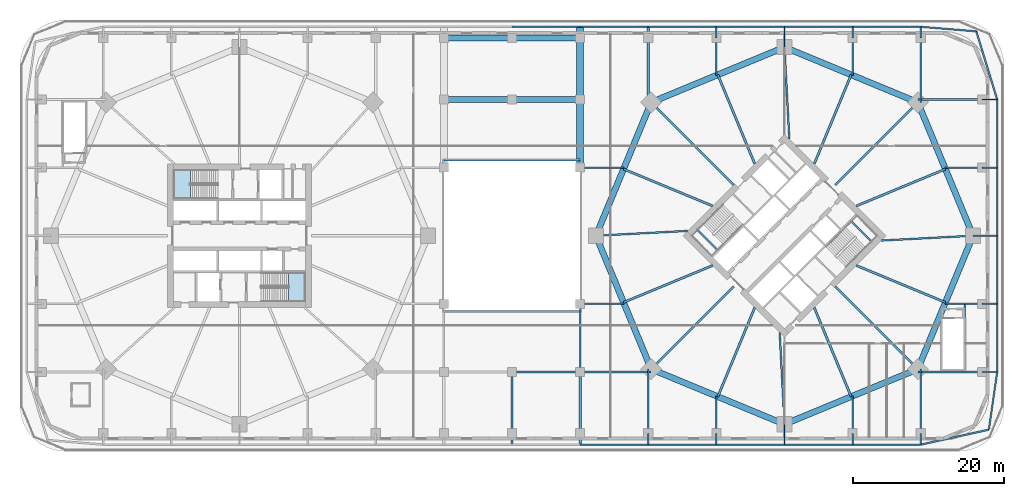
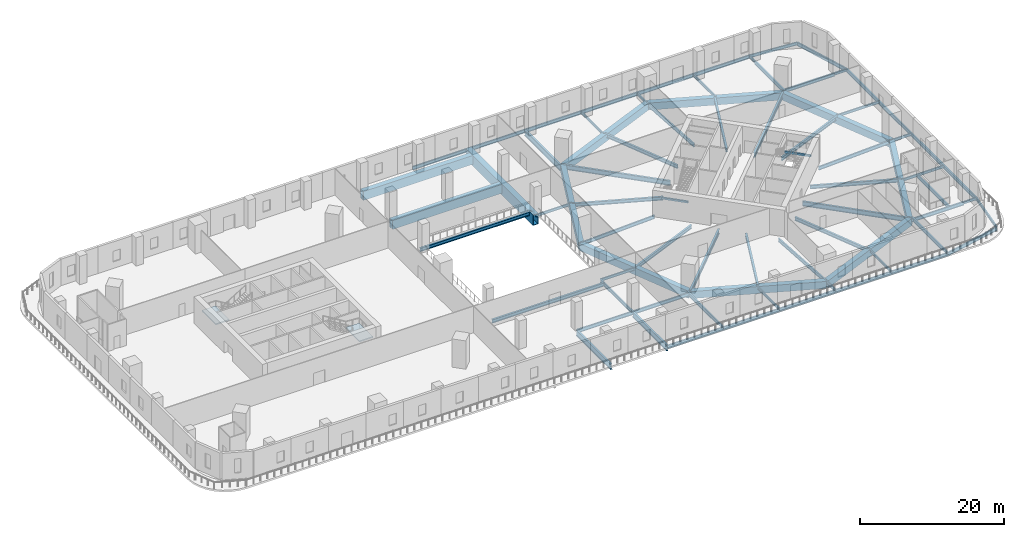
# One storey, part 2 of 16: 84 beams, 2 slabs, 2 elements without a shape of their own.
"""IFC4 building model written with IfcOpenShell, lengths in metres."""

from ifc_helpers import new_model, si_unit, direction, frame, origin, origin_2d, place, context, subcontext, project, spatial, polyline, rectangle, hollow_rectangle, i_section, outline, extrude, material, layer, layer_set, material_profile, profile_set, type_object, element, aggregate, save


model = new_model("IFC4")

# Units and contexts
model_context = context("Model", 3, precision=1e-05, world=origin(), true_north=direction((0.0, 1.0)))
body_context = subcontext(model_context, "Body", "Model", "MODEL_VIEW")
ifc_project = project(units=[si_unit("LENGTHUNIT", "METRE"), si_unit("AREAUNIT", "SQUARE_METRE"), si_unit("VOLUMEUNIT", "CUBIC_METRE"), si_unit("PLANEANGLEUNIT", "RADIAN"), si_unit("MASSUNIT", "GRAM", prefix="KILO")], contexts=[model_context])

# Site, building, storey
site_placement = place(None, origin())
site = spatial("IfcSite", under=ifc_project, at=site_placement, CompositionType="ELEMENT")
building_placement = place(site_placement, origin())
building = spatial("IfcBuilding", under=site, at=building_placement, Name="Ogive Gate Towers", CompositionType="ELEMENT")
storey_placement = place(building_placement, frame((0.0, 0.0, 22.800048828125)))
storey = spatial("IfcBuildingStorey", under=building, at=storey_placement, Name="L04", CompositionType="ELEMENT", Elevation=22.800048828125)

# Beams
ifc_material_1 = material(Name="Steel SM460", Category="steel")
ifc_material_profile_1 = material_profile(ifc_material_1, hollow_rectangle(XDim=0.800048828125, YDim=1.199951171875, WallThickness=0.050048828125, at=origin_2d()), Name="BX 1200x800x50")
ifc_profile_set_1 = profile_set([ifc_material_profile_1], Name="Steel SM460")
beam_type_1 = type_object("IfcBeamType", Name="Edge girder BX 1200x800x50", PredefinedType="BEAM", material=ifc_profile_set_1)
for number, where, z_axis, x_axis, name in (
    (1, (18.385986328125, -17.614013671875, -0.900146484375), (0.923880736283, -0.382680526191, 0.0), (0.382680526191, 0.923880736283, 0.0), "T2/L04/SBM017"),
    (2, (36.0, -24.909912109375, -0.900146484375), (0.923880736283, 0.382680526191, 0.0), (-0.382680526191, 0.923880736283, 0.0), "T2/L04/SBM018"),
    (3, (53.614013671875, -17.614013671875, -0.900146484375), (0.382680526191, 0.923880736283, 0.0), (-0.923880736283, 0.382680526191, 0.0), "T2/L04/SBM019"),
    (4, (60.909912109375, 0.0, -0.900146484375), (-0.382680526191, 0.923880736283, 0.0), (-0.923880736283, -0.382680526191, 0.0), "T2/L04/SBM020"),
    (5, (53.614013671875, 17.614013671875, -0.900146484375), (-0.923880736283, 0.382680526191, 0.0), (-0.382680526191, -0.923880736283, 0.0), "T2/L04/SBM021"),
    (6, (36.0, 24.909912109375, -0.900146484375), (-0.923880736283, -0.382680526191, 0.0), (0.382680526191, -0.923880736283, 0.0), "T2/L04/SBM022"),
    (7, (18.385986328125, 17.614013671875, -0.900146484375), (-0.382680526191, -0.923880736283, 0.0), (0.923880736283, -0.382680526191, 0.0), "T2/L04/SBM023"),
    (8, (11.090087890625, 0.0, -0.900146484375), (0.382680526191, -0.923880736283, 0.0), (0.923880736283, 0.382680526191, 0.0), "T2/L04/SBM024"),
):
    element("IfcBeam", number, at=place(storey_placement, frame(where, z_axis=z_axis, x_axis=x_axis)), inside=storey, type_object=beam_type_1, Name=name, PredefinedType="BEAM", context=body_context, shape_type="SweptSolid", body=[
        extrude(hollow_rectangle(XDim=0.800048828125, YDim=1.199951171875, WallThickness=0.050048828125, at=origin_2d()), origin(), (0.0, 0.0, 1.0), 19.065185546875),
    ])
ifc_material_2 = material(Name="Steel SM355", Category="steel")
ifc_material_profile_2 = material_profile(ifc_material_2, i_section(OverallWidth=0.300048828125, OverallDepth=0.590087890625, WebThickness=0.012939453125, FlangeThickness=0.02490234375, FilletRadius=0.027099609375, at=origin_2d()), Name="HE 600 A")
ifc_profile_set_2 = profile_set([ifc_material_profile_2], Name="Steel SM355")
beam_type_2 = type_object("IfcBeamType", Name="Floor beam HE 600 A", PredefinedType="BEAM", material=ifc_profile_set_2)
for number, where, z_axis, x_axis, name in (
    (9, (-9.0, -10.0, -0.594970703125), (1.0, 0.0, 0.0), (0.0, 1.0, 0.0), "PD/L04/SBM110"),
    (10, (-9.0, 10.0, -0.594970703125), (1.0, 0.0, 0.0), (0.0, 1.0, 0.0), "PD/L04/SBM111"),
):
    element("IfcBeam", number, at=place(storey_placement, frame(where, z_axis=z_axis, x_axis=x_axis)), inside=storey, type_object=beam_type_2, Name=name, PredefinedType="BEAM", context=body_context, shape_type="SweptSolid", body=[
        extrude(i_section(OverallWidth=0.300048828125, OverallDepth=0.590087890625, WebThickness=0.012939453125, FlangeThickness=0.02490234375, FilletRadius=0.027099609375, at=origin_2d()), origin(), (0.0, 0.0, 1.0), 18.0),
    ])
ifc_material_profile_3 = material_profile(ifc_material_2, i_section(OverallWidth=0.18994140625, OverallDepth=0.449951171875, WebThickness=0.009521484375, FlangeThickness=0.0146484375, FilletRadius=0.02099609375, at=origin_2d()), Name="IPE 450")
ifc_profile_set_3 = profile_set([ifc_material_profile_3], Name="Steel SM355")
beam_type_3 = type_object("IfcBeamType", Name="Floor beam IPE 450", PredefinedType="BEAM", material=ifc_profile_set_3)
for number, where, z_axis, x_axis, name in (
    (11, (18.0, -27.60009765625, -0.525146484375), (0.0, 1.0, 0.0), (-1.0, 0.0, 0.0), "PD/L04/SBM024"),
    (12, (27.0, -27.60009765625, -0.525146484375), (0.0, 1.0, 0.0), (-1.0, 0.0, 0.0), "PD/L04/SBM026"),
    (13, (27.0, 26.10009765625, -0.525146484375), (0.0, 1.0, 0.0), (-1.0, 0.0, 0.0), "PD/L04/SBM027"),
):
    element("IfcBeam", number, at=place(storey_placement, frame(where, z_axis=z_axis, x_axis=x_axis)), inside=storey, type_object=beam_type_3, Name=name, PredefinedType="BEAM", context=body_context, shape_type="SweptSolid", body=[
        extrude(i_section(OverallWidth=0.18994140625, OverallDepth=0.449951171875, WebThickness=0.009521484375, FlangeThickness=0.0146484375, FilletRadius=0.02099609375, at=origin_2d()), origin(), (0.0, 0.0, 1.0), 1.5),
    ])
for number, where, z_axis, x_axis, name in (
    (14, (36.0, -27.60009765625, -0.525146484375), (0.0, 1.0, 0.0), (-1.0, 0.0, 0.0), "PD/L04/SBM028"),
    (15, (36.0, 24.909912109375, -0.525146484375), (0.0, 1.0, 0.0), (-1.0, 0.0, 0.0), "PD/L04/SBM029"),
):
    element("IfcBeam", number, at=place(storey_placement, frame(where, z_axis=z_axis, x_axis=x_axis)), inside=storey, type_object=beam_type_3, Name=name, PredefinedType="BEAM", context=body_context, shape_type="SweptSolid", body=[
        extrude(i_section(OverallWidth=0.18994140625, OverallDepth=0.449951171875, WebThickness=0.009521484375, FlangeThickness=0.0146484375, FilletRadius=0.02099609375, at=origin_2d()), origin(), (0.0, 0.0, 1.0), 2.690185546875),
    ])
for number, where, z_axis, x_axis, name in (
    (16, (45.0, -27.60009765625, -0.525146484375), (0.0, 1.0, 0.0), (-1.0, 0.0, 0.0), "PD/L04/SBM030"),
    (17, (45.0, 26.10009765625, -0.525146484375), (0.0, 1.0, 0.0), (-1.0, 0.0, 0.0), "PD/L04/SBM031"),
    (18, (54.0, -27.60009765625, -0.525146484375), (0.0, 1.0, 0.0), (-1.0, 0.0, 0.0), "PD/L04/SBM032"),
    (19, (54.0, 26.10009765625, -0.525146484375), (0.0, 1.0, 0.0), (-1.0, 0.0, 0.0), "PD/L04/SBM035"),
):
    element("IfcBeam", number, at=place(storey_placement, frame(where, z_axis=z_axis, x_axis=x_axis)), inside=storey, type_object=beam_type_3, Name=name, PredefinedType="BEAM", context=body_context, shape_type="SweptSolid", body=[
        extrude(i_section(OverallWidth=0.18994140625, OverallDepth=0.449951171875, WebThickness=0.009521484375, FlangeThickness=0.0146484375, FilletRadius=0.02099609375, at=origin_2d()), origin(), (0.0, 0.0, 1.0), 1.5),
    ])
for number, where, z_axis, x_axis, name in (
    (20, (62.10009765625, -18.0, -0.525146484375), (1.0, 0.0, 0.0), (0.0, 1.0, 0.0), "PD/L04/SBM043"),
    (21, (62.10009765625, -9.0, -0.525146484375), (1.0, 0.0, 0.0), (0.0, 1.0, 0.0), "PD/L04/SBM045"),
):
    element("IfcBeam", number, at=place(storey_placement, frame(where, z_axis=z_axis, x_axis=x_axis)), inside=storey, type_object=beam_type_3, Name=name, PredefinedType="BEAM", context=body_context, shape_type="SweptSolid", body=[
        extrude(i_section(OverallWidth=0.18994140625, OverallDepth=0.449951171875, WebThickness=0.009521484375, FlangeThickness=0.0146484375, FilletRadius=0.02099609375, at=origin_2d()), origin(), (0.0, 0.0, 1.0), 2.0),
    ])
beam_1_placement = place(storey_placement, frame((60.909912109375, 0.0, -0.525146484375), z_axis=(1.0, 0.0, 0.0), x_axis=(0.0, 1.0, 0.0)))
element("IfcBeam", 22, at=beam_1_placement, inside=storey, type_object=beam_type_3, Name="PD/L04/SBM047", PredefinedType="BEAM", context=body_context, shape_type="SweptSolid", body=[
    extrude(i_section(OverallWidth=0.18994140625, OverallDepth=0.449951171875, WebThickness=0.009521484375, FlangeThickness=0.0146484375, FilletRadius=0.02099609375, at=origin_2d()), origin(), (0.0, 0.0, 1.0), 3.190185546875),
])
for number, where, z_axis, x_axis, name in (
    (23, (62.10009765625, 9.0, -0.525146484375), (1.0, 0.0, 0.0), (0.0, 1.0, 0.0), "PD/L04/SBM049"),
    (24, (62.10009765625, 18.0, -0.525146484375), (1.0, 0.0, 0.0), (0.0, 1.0, 0.0), "PD/L04/SBM053"),
):
    element("IfcBeam", number, at=place(storey_placement, frame(where, z_axis=z_axis, x_axis=x_axis)), inside=storey, type_object=beam_type_3, Name=name, PredefinedType="BEAM", context=body_context, shape_type="SweptSolid", body=[
        extrude(i_section(OverallWidth=0.18994140625, OverallDepth=0.449951171875, WebThickness=0.009521484375, FlangeThickness=0.0146484375, FilletRadius=0.02099609375, at=origin_2d()), origin(), (0.0, 0.0, 1.0), 2.0),
    ])
for number, where, z_axis, x_axis, name in (
    (25, (9.0, -9.0, -0.525146484375), (1.0, 0.0, 0.0), (0.0, 1.0, 0.0), "PD/L04/SBM102"),
    (26, (9.0, 9.0, -0.525146484375), (1.0, 0.0, 0.0), (0.0, 1.0, 0.0), "PD/L04/SBM103"),
):
    element("IfcBeam", number, at=place(storey_placement, frame(where, z_axis=z_axis, x_axis=x_axis)), inside=storey, type_object=beam_type_3, Name=name, PredefinedType="BEAM", context=body_context, shape_type="SweptSolid", body=[
        extrude(i_section(OverallWidth=0.18994140625, OverallDepth=0.449951171875, WebThickness=0.009521484375, FlangeThickness=0.0146484375, FilletRadius=0.02099609375, at=origin_2d()), origin(), (0.0, 0.0, 1.0), 5.81787109375),
    ])
for number, where, z_axis, x_axis, name in (
    (27, (27.0, -26.10009765625, -0.525146484375), (0.0, 1.0, 0.0), (-1.0, 0.0, 0.0), "PD/L04/SBM104"),
    (28, (27.0, 26.10009765625, -0.525146484375), (0.0, -1.0, 0.0), (1.0, 0.0, 0.0), "PD/L04/SBM105"),
    (29, (45.0, -26.10009765625, -0.525146484375), (0.0, 1.0, 0.0), (-1.0, 0.0, 0.0), "PD/L04/SBM106"),
    (30, (45.0, 26.10009765625, -0.525146484375), (0.0, -1.0, 0.0), (1.0, 0.0, 0.0), "PD/L04/SBM107"),
    (31, (62.10009765625, -9.0, -0.525146484375), (-1.0, 0.0, 0.0), (0.0, -1.0, 0.0), "PD/L04/SBM108"),
    (32, (62.10009765625, 9.0, -0.525146484375), (-1.0, 0.0, 0.0), (0.0, -1.0, 0.0), "PD/L04/SBM109"),
):
    element("IfcBeam", number, at=place(storey_placement, frame(where, z_axis=z_axis, x_axis=x_axis)), inside=storey, type_object=beam_type_3, Name=name, PredefinedType="BEAM", context=body_context, shape_type="SweptSolid", body=[
        extrude(i_section(OverallWidth=0.18994140625, OverallDepth=0.449951171875, WebThickness=0.009521484375, FlangeThickness=0.0146484375, FilletRadius=0.02099609375, at=origin_2d()), origin(), (0.0, 0.0, 1.0), 4.91796875),
    ])
ifc_material_profile_4 = material_profile(ifc_material_2, i_section(OverallWidth=0.199951171875, OverallDepth=0.5, WebThickness=0.01025390625, FlangeThickness=0.01611328125, FilletRadius=0.02099609375, at=origin_2d()), Name="IPE 500")
ifc_profile_set_4 = profile_set([ifc_material_profile_4], Name="Steel SM355")
beam_type_4 = type_object("IfcBeamType", Name="Floor beam IPE 500", PredefinedType="BEAM", material=ifc_profile_set_4)
beam_2_placement = place(storey_placement, frame((54.0, 27.60009765625, -0.550048828125), z_axis=(0.996673302289, -0.08150048162, 0.0), x_axis=(0.08150048162, 0.996673302289, 0.0)))
element("IfcBeam", 33, at=beam_2_placement, inside=storey, type_object=beam_type_4, Name="PD/L04/SBM086", PredefinedType="BEAM", context=body_context, shape_type="SweptSolid", body=[
    extrude(i_section(OverallWidth=0.199951171875, OverallDepth=0.5, WebThickness=0.01025390625, FlangeThickness=0.01611328125, FilletRadius=0.02099609375, at=origin_2d()), origin(), (0.0, 0.0, 1.0), 7.363037109375),
])
beam_3_placement = place(storey_placement, frame((64.10009765625, -18.0, -0.550048828125), z_axis=(-0.142895182627, -0.989737827297, 0.0), x_axis=(0.989737827297, -0.142895182627, 0.0)))
element("IfcBeam", 34, at=beam_3_placement, inside=storey, type_object=beam_type_4, Name="PD/L04/SBM092", PredefinedType="BEAM", context=body_context, shape_type="SweptSolid", body=[
    extrude(i_section(OverallWidth=0.199951171875, OverallDepth=0.5, WebThickness=0.01025390625, FlangeThickness=0.01611328125, FilletRadius=0.02099609375, at=origin_2d()), origin(), (0.0, 0.0, 1.0), 7.69873046875),
])
ifc_material_profile_5 = material_profile(ifc_material_2, i_section(OverallWidth=0.219970703125, OverallDepth=0.60009765625, WebThickness=0.011962890625, FlangeThickness=0.01904296875, FilletRadius=0.02392578125, at=origin_2d()), Name="IPE 600")
ifc_profile_set_5 = profile_set([ifc_material_profile_5], Name="Steel SM355")
beam_type_5 = type_object("IfcBeamType", Name="Floor beam IPE 600", PredefinedType="BEAM", material=ifc_profile_set_5)
beam_4_placement = place(storey_placement, frame((9.0, -18.0, -0.60009765625), z_axis=(0.0, 1.0, 0.0), x_axis=(-1.0, 0.0, 0.0)))
element("IfcBeam", 35, at=beam_4_placement, inside=storey, type_object=beam_type_5, Name="PD/L04/SBM023", PredefinedType="BEAM", context=body_context, shape_type="SweptSolid", body=[
    extrude(i_section(OverallWidth=0.219970703125, OverallDepth=0.60009765625, WebThickness=0.011962890625, FlangeThickness=0.01904296875, FilletRadius=0.02392578125, at=origin_2d()), origin(), (0.0, 0.0, 1.0), 9.0),
])
for number, where, z_axis, x_axis, name in (
    (36, (18.0, -26.10009765625, -0.60009765625), (0.0, 1.0, 0.0), (-1.0, 0.0, 0.0), "PD/L04/SBM025"),
    (37, (54.0, -26.10009765625, -0.60009765625), (0.0, 1.0, 0.0), (-1.0, 0.0, 0.0), "PD/L04/SBM033"),
    (38, (54.0, 17.614013671875, -0.60009765625), (0.0, 1.0, 0.0), (-1.0, 0.0, 0.0), "PD/L04/SBM034"),
):
    element("IfcBeam", number, at=place(storey_placement, frame(where, z_axis=z_axis, x_axis=x_axis)), inside=storey, type_object=beam_type_5, Name=name, PredefinedType="BEAM", context=body_context, shape_type="SweptSolid", body=[
        extrude(i_section(OverallWidth=0.219970703125, OverallDepth=0.60009765625, WebThickness=0.011962890625, FlangeThickness=0.01904296875, FilletRadius=0.02392578125, at=origin_2d()), origin(), (0.0, 0.0, 1.0), 8.486083984375),
    ])
beam_5_placement = place(storey_placement, frame((0.0, -18.0, -0.60009765625), z_axis=(1.0, 0.0, 0.0), x_axis=(0.0, 1.0, 0.0)))
element("IfcBeam", 39, at=beam_5_placement, inside=storey, type_object=beam_type_5, Name="PD/L04/SBM040", PredefinedType="BEAM", context=body_context, shape_type="SweptSolid", body=[
    extrude(i_section(OverallWidth=0.219970703125, OverallDepth=0.60009765625, WebThickness=0.011962890625, FlangeThickness=0.01904296875, FilletRadius=0.02392578125, at=origin_2d()), origin(), (0.0, 0.0, 1.0), 9.0),
])
beam_6_placement = place(storey_placement, frame((9.0, -18.0, -0.60009765625), z_axis=(1.0, 0.0, 0.0), x_axis=(0.0, 1.0, 0.0)))
element("IfcBeam", 40, at=beam_6_placement, inside=storey, type_object=beam_type_5, Name="PD/L04/SBM041", PredefinedType="BEAM", context=body_context, shape_type="SweptSolid", body=[
    extrude(i_section(OverallWidth=0.219970703125, OverallDepth=0.60009765625, WebThickness=0.011962890625, FlangeThickness=0.01904296875, FilletRadius=0.02392578125, at=origin_2d()), origin(), (0.0, 0.0, 1.0), 9.385986328125),
])
for number, where, z_axis, x_axis, name in (
    (41, (53.614013671875, -18.0, -0.60009765625), (1.0, 0.0, 0.0), (0.0, 1.0, 0.0), "PD/L04/SBM042"),
    (42, (53.614013671875, 18.0, -0.60009765625), (1.0, 0.0, 0.0), (0.0, 1.0, 0.0), "PD/L04/SBM052"),
):
    element("IfcBeam", number, at=place(storey_placement, frame(where, z_axis=z_axis, x_axis=x_axis)), inside=storey, type_object=beam_type_5, Name=name, PredefinedType="BEAM", context=body_context, shape_type="SweptSolid", body=[
        extrude(i_section(OverallWidth=0.219970703125, OverallDepth=0.60009765625, WebThickness=0.011962890625, FlangeThickness=0.01904296875, FilletRadius=0.02392578125, at=origin_2d()), origin(), (0.0, 0.0, 1.0), 8.486083984375),
    ])
for number, where, z_axis, x_axis, name in (
    (43, (54.0, -27.60009765625, -0.60009765625), (-1.0, 0.0, 0.0), (0.0, -1.0, 0.0), "PD/L04/SBM054"),
    (44, (45.0, -27.60009765625, -0.60009765625), (-1.0, 0.0, 0.0), (0.0, -1.0, 0.0), "PD/L04/SBM055"),
    (45, (36.0, -27.60009765625, -0.60009765625), (-1.0, 0.0, 0.0), (0.0, -1.0, 0.0), "PD/L04/SBM056"),
    (46, (27.0, -27.60009765625, -0.60009765625), (-1.0, 0.0, 0.0), (0.0, -1.0, 0.0), "PD/L04/SBM057"),
    (47, (18.0, -27.60009765625, -0.60009765625), (-1.0, 0.0, 0.0), (0.0, -1.0, 0.0), "PD/L04/SBM058"),
    (48, (0.0, 27.60009765625, -0.60009765625), (1.0, 0.0, 0.0), (0.0, 1.0, 0.0), "PD/L04/SBM080"),
    (49, (9.0, 27.60009765625, -0.60009765625), (1.0, 0.0, 0.0), (0.0, 1.0, 0.0), "PD/L04/SBM081"),
    (50, (18.0, 27.60009765625, -0.60009765625), (1.0, 0.0, 0.0), (0.0, 1.0, 0.0), "PD/L04/SBM082"),
    (51, (27.0, 27.60009765625, -0.60009765625), (1.0, 0.0, 0.0), (0.0, 1.0, 0.0), "PD/L04/SBM083"),
    (52, (36.0, 27.60009765625, -0.60009765625), (1.0, 0.0, 0.0), (0.0, 1.0, 0.0), "PD/L04/SBM084"),
    (53, (45.0, 27.60009765625, -0.60009765625), (1.0, 0.0, 0.0), (0.0, 1.0, 0.0), "PD/L04/SBM085"),
):
    element("IfcBeam", number, at=place(storey_placement, frame(where, z_axis=z_axis, x_axis=x_axis)), inside=storey, type_object=beam_type_5, Name=name, PredefinedType="BEAM", context=body_context, shape_type="SweptSolid", body=[
        extrude(i_section(OverallWidth=0.219970703125, OverallDepth=0.60009765625, WebThickness=0.011962890625, FlangeThickness=0.01904296875, FilletRadius=0.02392578125, at=origin_2d()), origin(), (0.0, 0.0, 1.0), 9.0),
    ])
beam_7_placement = place(storey_placement, frame((61.338623046875, 27.0, -0.60009765625), z_axis=(0.293333127208, -0.956010290992, 0.0), x_axis=(0.956010290992, 0.293333127208, 0.0)))
element("IfcBeam", 54, at=beam_7_placement, inside=storey, type_object=beam_type_5, Name="PD/L04/SBM087", PredefinedType="BEAM", context=body_context, shape_type="SweptSolid", body=[
    extrude(i_section(OverallWidth=0.219970703125, OverallDepth=0.60009765625, WebThickness=0.011962890625, FlangeThickness=0.01904296875, FilletRadius=0.02392578125, at=origin_2d()), origin(), (0.0, 0.0, 1.0), 9.4140625),
])
for number, where, z_axis, x_axis, name in (
    (55, (64.10009765625, 18.0, -0.60009765625), (0.0, -1.0, 0.0), (1.0, 0.0, 0.0), "PD/L04/SBM088"),
    (56, (64.10009765625, 9.0, -0.60009765625), (0.0, -1.0, 0.0), (1.0, 0.0, 0.0), "PD/L04/SBM089"),
    (57, (64.10009765625, 0.0, -0.60009765625), (0.0, -1.0, 0.0), (1.0, 0.0, 0.0), "PD/L04/SBM090"),
    (58, (64.10009765625, -9.0, -0.60009765625), (0.0, -1.0, 0.0), (1.0, 0.0, 0.0), "PD/L04/SBM091"),
):
    element("IfcBeam", number, at=place(storey_placement, frame(where, z_axis=z_axis, x_axis=x_axis)), inside=storey, type_object=beam_type_5, Name=name, PredefinedType="BEAM", context=body_context, shape_type="SweptSolid", body=[
        extrude(i_section(OverallWidth=0.219970703125, OverallDepth=0.60009765625, WebThickness=0.011962890625, FlangeThickness=0.01904296875, FilletRadius=0.02392578125, at=origin_2d()), origin(), (0.0, 0.0, 1.0), 9.0),
    ])
beam_8_placement = place(storey_placement, frame((63.0, -25.61962890625, -0.60009765625), z_axis=(-0.976633791525, -0.214910300479, 0.0), x_axis=(0.214910300479, -0.976633791525, 0.0)))
element("IfcBeam", 59, at=beam_8_placement, inside=storey, type_object=beam_type_5, Name="PD/L04/SBM093", PredefinedType="BEAM", context=body_context, shape_type="SweptSolid", body=[
    extrude(i_section(OverallWidth=0.219970703125, OverallDepth=0.60009765625, WebThickness=0.011962890625, FlangeThickness=0.01904296875, FilletRadius=0.02392578125, at=origin_2d()), origin(), (0.0, 0.0, 1.0), 9.21533203125),
])
beam_9_placement = place(storey_placement, frame((59.800048828125, -18.0, -0.60009765625), z_axis=(0.0, 1.0, 0.0), x_axis=(-1.0, 0.0, 0.0)))
element("IfcBeam", 60, at=beam_9_placement, inside=storey, type_object=beam_type_5, Name="PD/L04/SBM113", PredefinedType="BEAM", context=body_context, shape_type="SweptSolid", body=[
    extrude(i_section(OverallWidth=0.219970703125, OverallDepth=0.60009765625, WebThickness=0.011962890625, FlangeThickness=0.01904296875, FilletRadius=0.02392578125, at=origin_2d()), origin(), (0.0, 0.0, 1.0), 9.0),
])
ifc_material_3 = material(Name="Concrete C40/50", Category="concrete")
ifc_material_profile_6 = material_profile(ifc_material_3, rectangle(XDim=0.25, YDim=0.300048828125, at=origin_2d()), Name="RC 250x300")
ifc_profile_set_6 = profile_set([ifc_material_profile_6], Name="Concrete C40/50")
beam_type_6 = type_object("IfcBeamType", Name="Landing bearer RC 250x300", PredefinedType="BEAM", material=ifc_profile_set_6)
for number, where, z_axis, x_axis, name in (
    (61, (24.472412109375, 0.77587890625, 2.050048828125), (0.707106781187, -0.707106781187, 0.0), (0.707106781187, 0.707106781187, 0.0), "T2 L04 stair 1 landing bearer 1"),
    (62, (47.527587890625, -0.77587890625, 2.050048828125), (-0.707106781187, 0.707106781187, 0.0), (-0.707106781187, -0.707106781187, 0.0), "T2 L04 stair 2 landing bearer 1"),
):
    element("IfcBeam", number, at=place(storey_placement, frame(where, z_axis=z_axis, x_axis=x_axis)), inside=storey, type_object=beam_type_6, Name=name, PredefinedType="BEAM", context=body_context, shape_type="SweptSolid", body=[
        extrude(rectangle(XDim=0.25, YDim=0.300048828125, at=origin_2d()), origin(), (0.0, 0.0, 1.0), 3.824951171875),
    ])
ifc_material_profile_7 = material_profile(ifc_material_2, i_section(OverallWidth=0.300048828125, OverallDepth=0.590087890625, WebThickness=0.012939453125, FlangeThickness=0.02490234375, FilletRadius=0.027099609375, at=origin_2d()), Name="HE 600 A")
ifc_profile_set_7 = profile_set([ifc_material_profile_7], Name="Steel SM355")
beam_type_7 = type_object("IfcBeamType", Name="Radial floor beam HE 600 A", PredefinedType="BEAM", material=ifc_profile_set_7)
for number, where, z_axis, x_axis, name in (
    (63, (32.06494140625, -9.5, -0.594970703125), (-0.382690523214, -0.923876595354, 0.0), (0.923876595354, -0.382690523214, 0.0), "T2/L04/SBM002"),
    (64, (39.93505859375, -9.5, -0.594970703125), (0.382690523214, -0.923876595354, 0.0), (0.923876595354, 0.382690523214, 0.0), "T2/L04/SBM004"),
    (65, (45.5, -3.93505859375, -0.594970703125), (0.923876595354, -0.382690523214, 0.0), (0.382690523214, 0.923876595354, 0.0), "T2/L04/SBM006"),
    (66, (45.5, 3.93505859375, -0.594970703125), (0.923876595354, 0.382690523214, 0.0), (-0.382690523214, 0.923876595354, 0.0), "T2/L04/SBM008"),
    (67, (39.93505859375, 9.5, -0.594970703125), (0.382690523214, 0.923876595354, 0.0), (-0.923876595354, 0.382690523214, 0.0), "T2/L04/SBM010"),
    (68, (32.06494140625, 9.5, -0.594970703125), (-0.382690523214, 0.923876595354, 0.0), (-0.923876595354, -0.382690523214, 0.0), "T2/L04/SBM012"),
    (69, (26.5, 3.93505859375, -0.594970703125), (-0.923876595354, 0.382690523214, 0.0), (-0.382690523214, -0.923876595354, 0.0), "T2/L04/SBM014"),
    (70, (26.5, -3.93505859375, -0.594970703125), (-0.923876595354, -0.382690523214, 0.0), (0.382690523214, -0.923876595354, 0.0), "T2/L04/SBM016"),
):
    element("IfcBeam", number, at=place(storey_placement, frame(where, z_axis=z_axis, x_axis=x_axis)), inside=storey, type_object=beam_type_7, Name=name, PredefinedType="BEAM", context=body_context, shape_type="SweptSolid", body=[
        extrude(i_section(OverallWidth=0.300048828125, OverallDepth=0.590087890625, WebThickness=0.012939453125, FlangeThickness=0.02490234375, FilletRadius=0.027099609375, at=origin_2d()), origin(), (0.0, 0.0, 1.0), 12.731201171875),
    ])
ifc_material_profile_8 = material_profile(ifc_material_2, i_section(OverallWidth=0.300048828125, OverallDepth=0.7900390625, WebThickness=0.014892578125, FlangeThickness=0.028076171875, FilletRadius=0.030029296875, at=origin_2d()), Name="HE 800 A")
ifc_profile_set_8 = profile_set([ifc_material_profile_8], Name="Steel SM355")
beam_type_8 = type_object("IfcBeamType", Name="Radial floor beam HE 800 A", PredefinedType="BEAM", material=ifc_profile_set_8)
for number, where, z_axis, x_axis, name in (
    (71, (29.282470703125, -6.717529296875, -0.695068359375), (-0.707106781187, -0.707106781187, 0.0), (0.707106781187, -0.707106781187, 0.0), "T2/L04/SBM001"),
    (72, (42.717529296875, -6.717529296875, -0.695068359375), (0.707106781187, -0.707106781187, 0.0), (0.707106781187, 0.707106781187, 0.0), "T2/L04/SBM005"),
    (73, (42.717529296875, 6.717529296875, -0.695068359375), (0.707106781187, 0.707106781187, 0.0), (-0.707106781187, 0.707106781187, 0.0), "T2/L04/SBM009"),
    (74, (29.282470703125, 6.717529296875, -0.695068359375), (-0.707106781187, 0.707106781187, 0.0), (-0.707106781187, -0.707106781187, 0.0), "T2/L04/SBM013"),
):
    element("IfcBeam", number, at=place(storey_placement, frame(where, z_axis=z_axis, x_axis=x_axis)), inside=storey, type_object=beam_type_8, Name=name, PredefinedType="BEAM", context=body_context, shape_type="SweptSolid", body=[
        extrude(i_section(OverallWidth=0.300048828125, OverallDepth=0.7900390625, WebThickness=0.014892578125, FlangeThickness=0.028076171875, FilletRadius=0.030029296875, at=origin_2d()), origin(), (0.0, 0.0, 1.0), 15.409912109375),
    ])
ifc_material_profile_9 = material_profile(ifc_material_2, i_section(OverallWidth=0.219970703125, OverallDepth=0.60009765625, WebThickness=0.011962890625, FlangeThickness=0.01904296875, FilletRadius=0.02392578125, at=origin_2d()), Name="IPE 600")
ifc_profile_set_9 = profile_set([ifc_material_profile_9], Name="Steel SM355")
beam_type_9 = type_object("IfcBeamType", Name="Radial floor beam IPE 600", PredefinedType="BEAM", material=ifc_profile_set_9)
for number, where, z_axis, x_axis, name in (
    (75, (35.363525390625, -12.798583984375, -0.60009765625), (0.052479590907, -0.998621996823, 0.0), (0.998621996823, 0.052479590907, 0.0), "T2/L04/SBM003"),
    (76, (48.798583984375, -0.636474609375, -0.60009765625), (0.998621996823, 0.052479590907, 0.0), (-0.052479590907, 0.998621996823, 0.0), "T2/L04/SBM007"),
    (77, (36.636474609375, 12.798583984375, -0.60009765625), (-0.052479590907, 0.998621996823, 0.0), (-0.998621996823, -0.052479590907, 0.0), "T2/L04/SBM011"),
    (78, (23.201416015625, 0.636474609375, -0.60009765625), (-0.998621996823, -0.052479590907, 0.0), (0.052479590907, -0.998621996823, 0.0), "T2/L04/SBM015"),
):
    element("IfcBeam", number, at=place(storey_placement, frame(where, z_axis=z_axis, x_axis=x_axis)), inside=storey, type_object=beam_type_9, Name=name, PredefinedType="BEAM", context=body_context, shape_type="SweptSolid", body=[
        extrude(i_section(OverallWidth=0.219970703125, OverallDepth=0.60009765625, WebThickness=0.011962890625, FlangeThickness=0.01904296875, FilletRadius=0.02392578125, at=origin_2d()), origin(), (0.0, 0.0, 1.0), 12.1279296875),
    ])
ifc_material_profile_10 = material_profile(ifc_material_1, hollow_rectangle(XDim=0.800048828125, YDim=1.5, WallThickness=0.06005859375, at=origin_2d()), Name="BX 1500x800x60")
ifc_profile_set_10 = profile_set([ifc_material_profile_10], Name="Steel SM460")
beam_type_10 = type_object("IfcBeamType", Name="Transfer girder BX 1500x800x60", PredefinedType="BEAM", material=ifc_profile_set_10)
for number, where, z_axis, x_axis, name in (
    (79, (-9.0, 18.0, -1.050048828125), (1.0, 0.0, 0.0), (0.0, 1.0, 0.0), "PD/L04/SBM008"),
    (80, (-9.0, 26.10009765625, -1.050048828125), (1.0, 0.0, 0.0), (0.0, 1.0, 0.0), "PD/L04/SBM009"),
):
    element("IfcBeam", number, at=place(storey_placement, frame(where, z_axis=z_axis, x_axis=x_axis)), inside=storey, type_object=beam_type_10, Name=name, PredefinedType="BEAM", context=body_context, shape_type="SweptSolid", body=[
        extrude(hollow_rectangle(XDim=0.800048828125, YDim=1.5, WallThickness=0.06005859375, at=origin_2d()), origin(), (0.0, 0.0, 1.0), 18.0),
    ])
ifc_material_profile_11 = material_profile(ifc_material_1, hollow_rectangle(XDim=0.89990234375, YDim=1.800048828125, WallThickness=0.080078125, at=origin_2d()), Name="BX 1800x900x80")
ifc_profile_set_11 = profile_set([ifc_material_profile_11], Name="Steel SM460")
beam_type_11 = type_object("IfcBeamType", Name="Transfer girder BX 1800x900x80", PredefinedType="BEAM", material=ifc_profile_set_11)
beam_10_placement = place(storey_placement, frame((9.0, 9.0, -1.199951171875), z_axis=(0.0, 1.0, 0.0), x_axis=(-1.0, 0.0, 0.0)))
element("IfcBeam", 81, at=beam_10_placement, inside=storey, type_object=beam_type_11, Name="PD/L04/SBM006", PredefinedType="BEAM", context=body_context, shape_type="SweptSolid", body=[
    extrude(hollow_rectangle(XDim=0.89990234375, YDim=1.800048828125, WallThickness=0.080078125, at=origin_2d()), origin(), (0.0, 0.0, 1.0), 18.60009765625),
])
ifc_material_profile_12 = material_profile(ifc_material_1, i_section(OverallWidth=0.300048828125, OverallDepth=0.989990234375, WebThickness=0.0166015625, FlangeThickness=0.031005859375, FilletRadius=0.030029296875, at=origin_2d()), Name="HE 1000 A")
ifc_profile_set_12 = profile_set([ifc_material_profile_12], Name="Steel SM460")
beam_type_12 = type_object("IfcBeamType", Name="Transfer girder HE 1000 A", PredefinedType="BEAM", material=ifc_profile_set_12)
for number, where, z_axis, x_axis, name in (
    (82, (0.0, -27.60009765625, -0.795166015625), (0.0, 1.0, 0.0), (-1.0, 0.0, 0.0), "PD/L04/SBM004"),
    (83, (9.0, -27.60009765625, -0.795166015625), (0.0, 1.0, 0.0), (-1.0, 0.0, 0.0), "PD/L04/SBM005"),
):
    element("IfcBeam", number, at=place(storey_placement, frame(where, z_axis=z_axis, x_axis=x_axis)), inside=storey, type_object=beam_type_12, Name=name, PredefinedType="BEAM", context=body_context, shape_type="SweptSolid", body=[
        extrude(i_section(OverallWidth=0.300048828125, OverallDepth=0.989990234375, WebThickness=0.0166015625, FlangeThickness=0.031005859375, FilletRadius=0.030029296875, at=origin_2d()), origin(), (0.0, 0.0, 1.0), 9.60009765625),
    ])
beam_11_placement = place(storey_placement, frame((18.0, 17.614013671875, -0.795166015625), z_axis=(0.0, 1.0, 0.0), x_axis=(-1.0, 0.0, 0.0)))
element("IfcBeam", 84, at=beam_11_placement, inside=storey, type_object=beam_type_12, Name="PD/L04/SBM007", PredefinedType="BEAM", context=body_context, shape_type="SweptSolid", body=[
    extrude(i_section(OverallWidth=0.300048828125, OverallDepth=0.989990234375, WebThickness=0.0166015625, FlangeThickness=0.031005859375, FilletRadius=0.030029296875, at=origin_2d()), origin(), (0.0, 0.0, 1.0), 9.986083984375),
])

# Stair, slab
stair_type = type_object("IfcStairType", Name="Escape stair 1840 wide", PredefinedType="HALF_TURN_STAIR", material=ifc_material_3)
stair_1_placement = place(storey_placement, origin())
stair_1 = element("IfcStair", 85, at=stair_1_placement, inside=storey, type_object=stair_type, Name="L04 Escape stair 1", PredefinedType="HALF_TURN_STAIR")
ifc_layer = layer(ifc_material_3, 0.199951171875)
ifc_layer_set = layer_set([ifc_layer], Name="Stair landing 200 mm")
slab_type = type_object("IfcSlabType", Name="Stair landing 200 mm", PredefinedType="LANDING", material=ifc_layer_set)
slab_1_placement = place(storey_placement, frame((0.0, 0.0, 2.199951171875)))
slab_1 = element("IfcSlab", 86, at=slab_1_placement, type_object=slab_type, Name="ST1 landing 1", PredefinedType="LANDING", context=body_context, shape_type="SweptSolid", body=[
    extrude(outline(polyline([(-42.5048828125, 8.699951171875), (-44.699951171875, 8.699951171875), (-44.699951171875, 4.875), (-42.5048828125, 4.875), (-42.5048828125, 8.699951171875)])), origin(), (0.0, 0.0, 1.0), 0.199951171875),
])
aggregate(stair_1, [slab_1])

stair_2_placement = place(storey_placement, origin())
stair_2 = element("IfcStair", 87, at=stair_2_placement, inside=storey, type_object=stair_type, Name="L04 Escape stair 2", PredefinedType="HALF_TURN_STAIR")
slab_2_placement = place(storey_placement, frame((0.0, 0.0, 2.199951171875)))
slab_2 = element("IfcSlab", 88, at=slab_2_placement, type_object=slab_type, Name="ST2 landing 1", PredefinedType="LANDING", context=body_context, shape_type="SweptSolid", body=[
    extrude(outline(polyline([(-29.4951171875, -8.699951171875), (-27.300048828125, -8.699951171875), (-27.300048828125, -4.875), (-29.4951171875, -4.875), (-29.4951171875, -8.699951171875)])), origin(), (0.0, 0.0, 1.0), 0.199951171875),
])
aggregate(stair_2, [slab_2])

save(model, "model.ifc")
